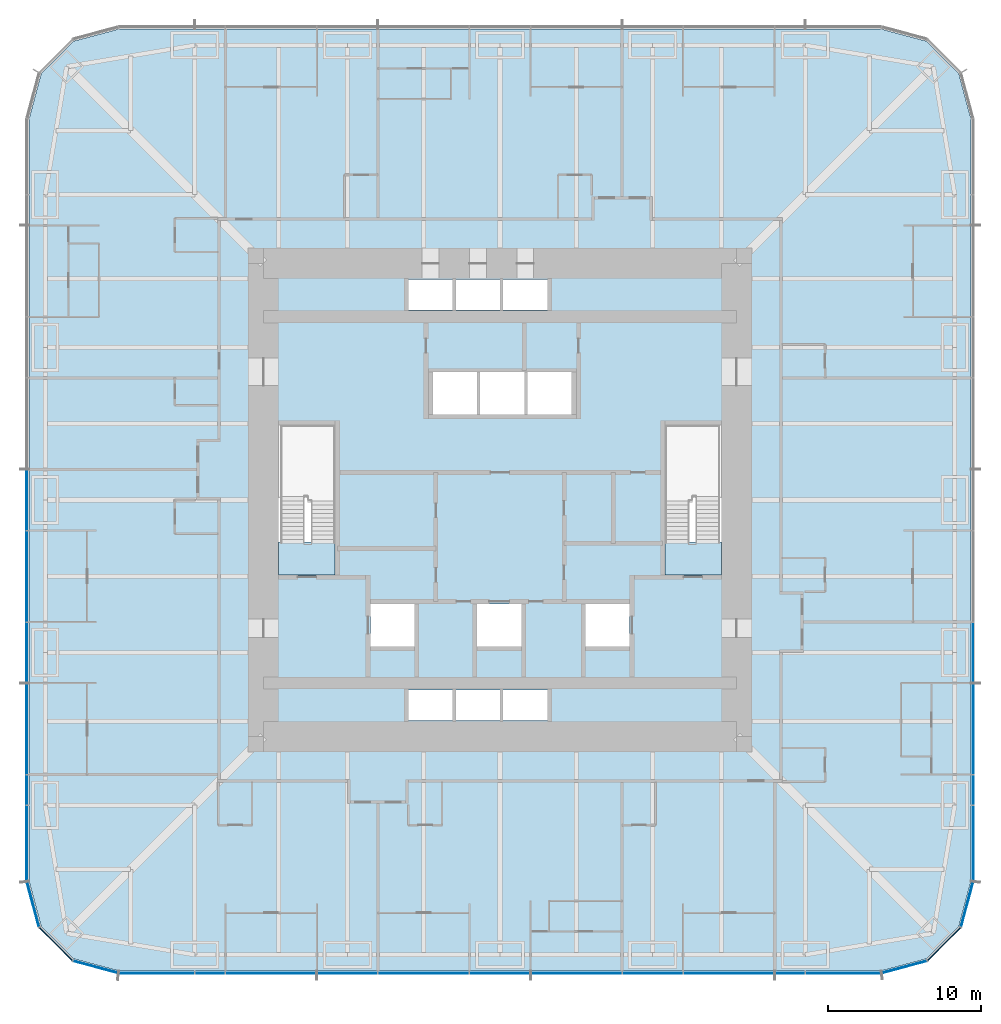
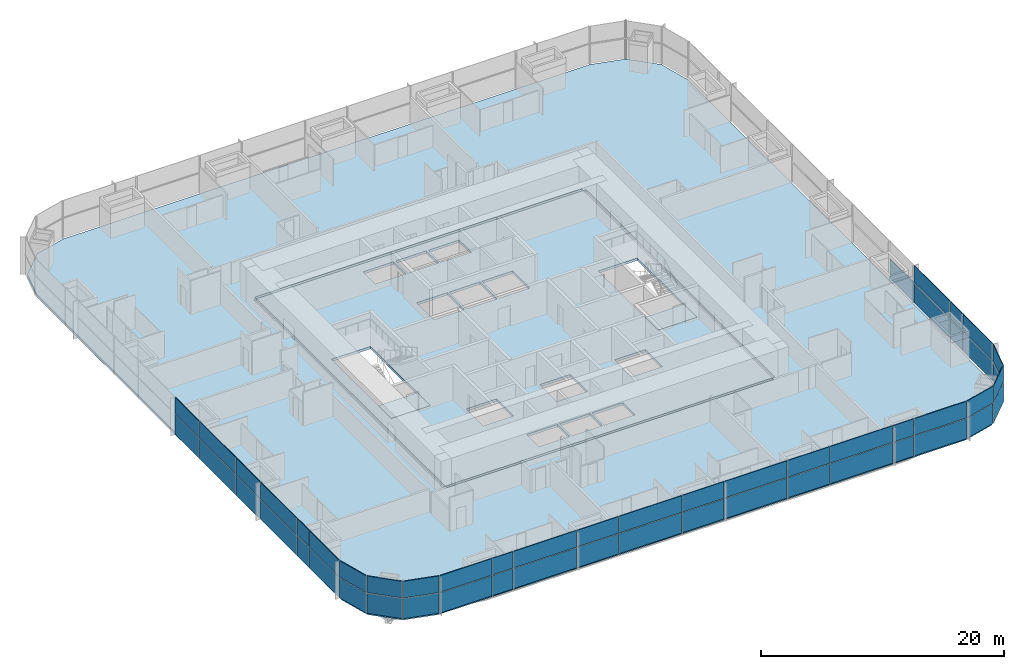
# One storey, part 10 of 17: 53 plates, 4 slabs, 7 elements without a shape of their own.
"""IFC4 building model written with IfcOpenShell, lengths in metres."""

import ifcopenshell
import ifcopenshell.guid

model = None  # the IFC model being written
_history = None  # IfcOwnerHistory: only IFC2X3 demands one
_inside = {}  # id of a spatial element -> (the spatial element, [elements in it])
_under = {}  # id of a project, library or spatial element -> (it, [spatial elements below it])
_declared = {}  # id of a project -> (the project, [libraries it declares])
_typed = {}  # id of a type object -> (the type object, [elements of that type])
_made_of = {}  # id of a material, layer set ... -> (it, [elements and type objects made of it])


def new_model(schema):
    """Start an empty IFC model of exactly this schema.

    Asked for "IFC4X3", IfcOpenShell would pick the latest addendum, in which some entities
    have other attributes; the version numbers below select the first issue.
    IFC2X3 requires an IfcOwnerHistory on every rooted entity: one is made here for all.
    """
    global model, _history
    if schema == "IFC4X3":
        model = ifcopenshell.file(schema_version=(4, 3, 0, 0))
    else:
        model = ifcopenshell.file(schema=schema)
    _inside.clear()
    _under.clear()
    _declared.clear()
    _typed.clear()
    _made_of.clear()
    _history = None
    if model.schema == "IFC2X3":
        org = make("IfcOrganization", Name="unknown")
        user = make(
            "IfcPersonAndOrganization",
            ThePerson=make("IfcPerson", FamilyName="unknown"),
            TheOrganization=org,
        )
        app = make(
            "IfcApplication",
            ApplicationDeveloper=org,
            Version="unknown",
            ApplicationFullName="unknown",
            ApplicationIdentifier="unknown",
        )
        _history = make(
            "IfcOwnerHistory",
            OwningUser=user,
            OwningApplication=app,
            ChangeAction="ADDED",
            CreationDate=0,
        )
    return model


def make(cls, **values):
    """One entity of the class cls with the attributes given. An attribute that is None is left unset."""
    return model.create_entity(
        cls, **{name: value for name, value in values.items() if value is not None}
    )


def rooted(cls, **values):
    """An entity with a GlobalId (a new one), such as an element, a storey or a relation."""
    return make(cls, GlobalId=ifcopenshell.guid.new(), OwnerHistory=_history, **values)


def si_unit(unit_type, name, prefix=None):
    """IfcSIUnit, for example si_unit("LENGTHUNIT", "METRE", prefix="MILLI")."""
    return make("IfcSIUnit", UnitType=unit_type, Prefix=prefix, Name=name)


def assignment(units):
    """IfcUnitAssignment: the units of a project."""
    return None if units is None else make("IfcUnitAssignment", Units=units)


def point(xyz):
    """IfcCartesianPoint."""
    return None if xyz is None else make("IfcCartesianPoint", Coordinates=xyz)


def direction(xyz):
    """IfcDirection."""
    return None if xyz is None else make("IfcDirection", DirectionRatios=xyz)


def frame(location, z_axis=None, x_axis=None):
    """IfcAxis2Placement3D, a coordinate frame: its origin and axes. An axis left out is left unset."""
    return make(
        "IfcAxis2Placement3D",
        Location=point(location),
        Axis=direction(z_axis),
        RefDirection=direction(x_axis),
    )


def frame_2d(location, x_axis=None):
    """IfcAxis2Placement2D, a coordinate frame in the plane: its origin and x axis."""
    return make(
        "IfcAxis2Placement2D", Location=point(location), RefDirection=direction(x_axis)
    )


def origin():
    """The frame at (0, 0, 0) with its axes left unset."""
    return frame((0.0, 0.0, 0.0))


def origin_2d():
    """The frame at (0, 0) in the plane with its x axis left unset."""
    return frame_2d((0.0, 0.0))


def place(relative_to, where):
    """IfcLocalPlacement: puts the frame where relative to a parent placement (None: the world)."""
    return make(
        "IfcLocalPlacement", PlacementRelTo=relative_to, RelativePlacement=where
    )


def context(
    kind, dimensions, precision=None, world=None, true_north=None, identifier=None
):
    """IfcGeometricRepresentationContext, for example the 3D "Model" context."""
    return make(
        "IfcGeometricRepresentationContext",
        ContextIdentifier=identifier,
        ContextType=kind,
        CoordinateSpaceDimension=dimensions,
        Precision=precision,
        WorldCoordinateSystem=world,
        TrueNorth=true_north,
    )


def subcontext(parent, identifier, kind, view, scale=None):
    """IfcGeometricRepresentationSubContext, for example "Body" below "Model"."""
    return make(
        "IfcGeometricRepresentationSubContext",
        ContextIdentifier=identifier,
        ContextType=kind,
        ParentContext=parent,
        TargetScale=scale,
        TargetView=view,
    )


def project(units=None, contexts=None):
    """IfcProject with its units and contexts."""
    return rooted(
        "IfcProject",
        Name="project",
        RepresentationContexts=contexts,
        UnitsInContext=assignment(units),
    )


def spatial(cls, under=None, at=None, **own):
    """A site, building, storey or space (cls), placed at a placement, below another one or the project."""
    s = rooted(cls, ObjectPlacement=at, **own)
    if under is not None:
        _under.setdefault(under.id(), (under, []))[1].append(s)
    return s


def polyline(points):
    """IfcPolyline through the points."""
    return make("IfcPolyline", Points=[point(p) for p in points])


def profile(cls, at=None, kind="AREA", **sizes):
    """A parametric profile (cls). Its sizes go by their IFC names, for example OverallWidth=200.0."""
    return make(cls, ProfileType=kind, Position=at, **sizes)


def rectangle(**sizes):
    """IfcRectangleProfileDef."""
    return profile("IfcRectangleProfileDef", **sizes)


def outline(outer, holes=None, kind="AREA"):
    """IfcArbitraryClosedProfileDef: a profile drawn as a closed curve; with holes, ...WithVoids."""
    if holes is None:
        return make("IfcArbitraryClosedProfileDef", ProfileType=kind, OuterCurve=outer)
    return make(
        "IfcArbitraryProfileDefWithVoids",
        ProfileType=kind,
        OuterCurve=outer,
        InnerCurves=holes,
    )


def extrude(swept, where, along, depth):
    """IfcExtrudedAreaSolid: the profile swept, set in the frame where, extruded along a direction by depth."""
    return make(
        "IfcExtrudedAreaSolid",
        SweptArea=swept,
        Position=where,
        ExtrudedDirection=direction(along),
        Depth=depth,
    )


def shape(context_of_items, identifier, shape_type, items):
    """IfcShapeRepresentation: the items that make up one representation, for example the "Body"."""
    return make(
        "IfcShapeRepresentation",
        ContextOfItems=context_of_items,
        RepresentationIdentifier=identifier,
        RepresentationType=shape_type,
        Items=items,
    )


def material(Name=None, Category=None):
    """IfcMaterial."""
    return make("IfcMaterial", Name=Name, Category=Category)


def layer(
    of_material, thickness, ventilated=None, Name=None, Category=None, Priority=None
):
    """IfcMaterialLayer: one layer of a wall or slab, of a material (None: an air gap)."""
    return make(
        "IfcMaterialLayer",
        Material=of_material,
        LayerThickness=thickness,
        IsVentilated=ventilated,
        Name=Name,
        Category=Category,
        Priority=Priority,
    )


def layer_set(layers, Name=None):
    """IfcMaterialLayerSet."""
    return make("IfcMaterialLayerSet", MaterialLayers=layers, LayerSetName=Name)


def made_of(thing, what):
    """Note that an element or type object is made of a material, layer set ...; save() writes the relation."""
    if what is not None:
        _made_of.setdefault(what.id(), (what, []))[1].append(thing)
    return thing


def type_object(cls, material=None, **own):
    """A type object (cls), such as IfcWallType, which elements share."""
    return made_of(rooted(cls, **own), material)


def element(
    cls,
    number,
    at=None,
    inside=None,
    cuts=None,
    type_object=None,
    material=None,
    context=None,
    identifier="Body",
    shape_type=None,
    held_by="IfcProductDefinitionShape",
    body=None,
    shapes=None,
    **own,
):
    """One element of the class cls, such as IfcWall. Its Tag is "e" and its number.

    at: its placement. inside: the storey or other place that contains it. cuts: it is an
    opening in that element (IfcRelVoidsElement). A single representation is given by context,
    identifier, shape_type and body (its items); several are given by shapes. held_by: the class
    of the entity that holds the representations. save() writes the other relations.
    """
    e = rooted(cls, Tag="e%d" % number, ObjectPlacement=at, **own)
    if body is not None:
        shapes = [shape(context, identifier, shape_type, body)]
    if shapes is not None:
        e.Representation = make(held_by, Representations=shapes)
    if inside is not None:
        _inside.setdefault(inside.id(), (inside, []))[1].append(e)
    if cuts is not None:
        rooted(
            "IfcRelVoidsElement", RelatingBuildingElement=cuts, RelatedOpeningElement=e
        )
    if type_object is not None:
        _typed.setdefault(type_object.id(), (type_object, []))[1].append(e)
    return made_of(e, material)


def aggregate(whole, parts):
    """IfcRelAggregates: a whole, such as a stair, and the parts it consists of."""
    return rooted("IfcRelAggregates", RelatingObject=whole, RelatedObjects=parts)


def save(model, path):
    """Write the relations noted so far, then the file.

    IfcRelAggregates (storeys below a building ...), IfcRelContainedInSpatialStructure (elements
    in a storey), IfcRelDefinesByType, IfcRelAssociatesMaterial and IfcRelDeclares: one each for
    every whole, place, type object, material and project.
    """
    for whole, parts in _under.values():
        aggregate(whole, parts)
    for where, things in _inside.values():
        rooted(
            "IfcRelContainedInSpatialStructure",
            RelatedElements=things,
            RelatingStructure=where,
        )
    for kind, things in _typed.values():
        rooted("IfcRelDefinesByType", RelatedObjects=things, RelatingType=kind)
    for what, things in _made_of.values():
        rooted("IfcRelAssociatesMaterial", RelatedObjects=things, RelatingMaterial=what)
    for by, libraries in _declared.values():
        rooted("IfcRelDeclares", RelatingContext=by, RelatedDefinitions=libraries)
    model.write(path)


model = new_model("IFC4")

# Units and contexts
model_context = context("Model", 3, precision=1e-05, world=origin(), true_north=direction((0.0, 1.0)))
body_context = subcontext(model_context, "Body", "Model", "MODEL_VIEW")
ifc_project = project(units=[si_unit("LENGTHUNIT", "METRE"), si_unit("AREAUNIT", "SQUARE_METRE"), si_unit("VOLUMEUNIT", "CUBIC_METRE"), si_unit("PLANEANGLEUNIT", "RADIAN"), si_unit("MASSUNIT", "GRAM", prefix="KILO")], contexts=[model_context])

# Site, building, storey
site_placement = place(None, origin())
site = spatial("IfcSite", under=ifc_project, at=site_placement, CompositionType="ELEMENT")
building_placement = place(site_placement, origin())
building = spatial("IfcBuilding", under=site, at=building_placement, Name="Khuree Lantern Residences", CompositionType="ELEMENT")
storey_placement = place(building_placement, frame((0.0, 0.0, 96.0)))
storey = spatial("IfcBuildingStorey", under=building, at=storey_placement, Name="L24", CompositionType="ELEMENT", Elevation=96.0)

# Slab
ifc_material_1 = material(Name="Concrete C35/45", Category="concrete")
ifc_layer_1 = layer(ifc_material_1, 0.25)
ifc_layer_set_1 = layer_set([ifc_layer_1], Name="CFL250 CORE FLOOR SLAB 250")
slab_type_1 = type_object("IfcSlabType", Name="CFL250 CORE FLOOR SLAB 250", PredefinedType="FLOOR", material=ifc_layer_set_1)
slab_1_placement = place(storey_placement, frame((0.0, 0.0, -0.25)))
element("IfcSlab", 1, at=slab_1_placement, inside=storey, type_object=slab_type_1, Name="Core floor L24", PredefinedType="FLOOR", context=body_context, shape_type="SweptSolid", body=[
    extrude(outline(polyline([(-15.5, -15.5), (-15.5, 15.5), (15.5, 15.5), (15.5, -15.5), (-15.5, -15.5)]), holes=[polyline([(14.5, 4.89990234375), (10.800048828125, 4.89990234375), (10.800048828125, -4.89990234375), (14.5, -4.89990234375), (14.5, 4.89990234375)]), polyline([(8.5, -6.800048828125), (5.60009765625, -6.800048828125), (5.60009765625, -9.60009765625), (8.5, -9.60009765625), (8.5, -6.800048828125)]), polyline([(4.699951171875, 8.39990234375), (1.800048828125, 8.39990234375), (1.800048828125, 5.60009765625), (4.699951171875, 5.60009765625), (4.699951171875, 8.39990234375)]), polyline([(0.199951171875, -12.449951171875), (0.199951171875, -14.449951171875), (3.10009765625, -14.449951171875), (3.10009765625, -12.449951171875), (0.199951171875, -12.449951171875)]), polyline([(3.10009765625, 14.449951171875), (0.199951171875, 14.449951171875), (0.199951171875, 12.449951171875), (3.10009765625, 12.449951171875), (3.10009765625, 14.449951171875)]), polyline([(1.60009765625, 8.39990234375), (-1.300048828125, 8.39990234375), (-1.300048828125, 5.60009765625), (1.60009765625, 5.60009765625), (1.60009765625, 8.39990234375)]), polyline([(1.39990234375, -6.800048828125), (-1.5, -6.800048828125), (-1.5, -9.60009765625), (1.39990234375, -9.60009765625), (1.39990234375, -6.800048828125)]), polyline([(0.0, -12.449951171875), (-2.89990234375, -12.449951171875), (-2.89990234375, -14.449951171875), (0.0, -14.449951171875), (0.0, -12.449951171875)]), polyline([(0.0, 14.449951171875), (-2.89990234375, 14.449951171875), (-2.89990234375, 12.449951171875), (0.0, 12.449951171875), (0.0, 14.449951171875)]), polyline([(-1.5, 8.39990234375), (-4.39990234375, 8.39990234375), (-4.39990234375, 5.60009765625), (-1.5, 5.60009765625), (-1.5, 8.39990234375)]), polyline([(-6.0, -12.449951171875), (-6.0, -14.449951171875), (-3.10009765625, -14.449951171875), (-3.10009765625, -12.449951171875), (-6.0, -12.449951171875)]), polyline([(-3.10009765625, 14.449951171875), (-6.0, 14.449951171875), (-6.0, 12.449951171875), (-3.10009765625, 12.449951171875), (-3.10009765625, 14.449951171875)]), polyline([(-5.60009765625, -6.800048828125), (-8.5, -6.800048828125), (-8.5, -9.60009765625), (-5.60009765625, -9.60009765625), (-5.60009765625, -6.800048828125)]), polyline([(-10.800048828125, 4.89990234375), (-14.5, 4.89990234375), (-14.5, -4.89990234375), (-10.800048828125, -4.89990234375), (-10.800048828125, 4.89990234375)])]), origin(), (0.0, 0.0, 1.0), 0.25),
])

# Curtain wall, plates
ifc_material_2 = material(Name="Bronze anodised aluminium", Category="aluminium")
curtain_wall_type_1 = type_object("IfcCurtainWallType", Name="CW-T2 TOWER CORNER CURTAIN WALL", PredefinedType="USERDEFINED", material=ifc_material_2)
curtain_wall_1_placement = place(storey_placement, origin())
curtain_wall_1 = element("IfcCurtainWall", 2, at=curtain_wall_1_placement, inside=storey, type_object=curtain_wall_type_1, Name="L24 SOUTH-EAST CORNER CURTAIN WALL", ObjectType="Faceted corner curtain wall", PredefinedType="USERDEFINED")
ifc_material_3 = material(Name="Bronze tinted triple glazing", Category="glass")
ifc_layer_2 = layer(ifc_material_3, 0.048095703125)
ifc_layer_set_2 = layer_set([ifc_layer_2], Name="FACET PANEL P4")
plate_type_1 = type_object("IfcPlateType", Name="FACET PANEL P4", PredefinedType="CURTAIN_PANEL", material=ifc_layer_set_2)
plate_1_placement = place(storey_placement, frame((26.498046875, -30.5986328125, 0.0), z_axis=(0.0, 0.0, 1.0), x_axis=(0.965925792265, 0.258819172081, 0.0)))
plate_1 = element("IfcPlate", 3, at=plate_1_placement, type_object=plate_type_1, Name="L24 SOUTH-EAST CORNER PANEL 1.1", PredefinedType="CURTAIN_PANEL", context=body_context, shape_type="SweptSolid", body=[
    extrude(rectangle(XDim=3.02978515625, YDim=0.048095703125, at=origin_2d()), origin(), (0.0, 0.0, 1.0), 2.017578125),
])
plate_2_placement = place(storey_placement, frame((29.09814453125, -29.09814453125, 0.0), z_axis=(0.0, 0.0, 1.0), x_axis=(0.707106781187, 0.707106781187, 0.0)))
plate_2 = element("IfcPlate", 4, at=plate_2_placement, type_object=plate_type_1, Name="L24 SOUTH-EAST CORNER PANEL 2.1", PredefinedType="CURTAIN_PANEL", context=body_context, shape_type="SweptSolid", body=[
    extrude(rectangle(XDim=3.025634765625, YDim=0.048095703125, at=origin_2d()), origin(), (0.0, 0.0, 1.0), 2.017578125),
])
plate_3_placement = place(storey_placement, frame((30.5986328125, -26.498046875, 0.0), z_axis=(0.0, 0.0, 1.0), x_axis=(0.258819172081, 0.965925792265, 0.0)))
plate_3 = element("IfcPlate", 5, at=plate_3_placement, type_object=plate_type_1, Name="L24 SOUTH-EAST CORNER PANEL 3.1", PredefinedType="CURTAIN_PANEL", context=body_context, shape_type="SweptSolid", body=[
    extrude(rectangle(XDim=3.02978515625, YDim=0.048095703125, at=origin_2d()), origin(), (0.0, 0.0, 1.0), 2.017578125),
])

curtain_wall_2_placement = place(storey_placement, origin())
curtain_wall_2 = element("IfcCurtainWall", 6, at=curtain_wall_2_placement, inside=storey, type_object=curtain_wall_type_1, Name="L24 SOUTH-WEST CORNER CURTAIN WALL", ObjectType="Faceted corner curtain wall", PredefinedType="USERDEFINED")
plate_4_placement = place(storey_placement, frame((-30.5986328125, -26.498046875, 0.0), z_axis=(0.0, 0.0, 1.0), x_axis=(0.258819172081, -0.965925792265, 0.0)))
plate_4 = element("IfcPlate", 7, at=plate_4_placement, type_object=plate_type_1, Name="L24 SOUTH-WEST CORNER PANEL 43.1", PredefinedType="CURTAIN_PANEL", context=body_context, shape_type="SweptSolid", body=[
    extrude(rectangle(XDim=3.02978515625, YDim=0.048095703125, at=origin_2d()), origin(), (0.0, 0.0, 1.0), 2.017578125),
])
plate_5_placement = place(storey_placement, frame((-29.09814453125, -29.09814453125, 0.0), z_axis=(0.0, 0.0, 1.0), x_axis=(0.707106781187, -0.707106781187, 0.0)))
plate_5 = element("IfcPlate", 8, at=plate_5_placement, type_object=plate_type_1, Name="L24 SOUTH-WEST CORNER PANEL 44.1", PredefinedType="CURTAIN_PANEL", context=body_context, shape_type="SweptSolid", body=[
    extrude(rectangle(XDim=3.025634765625, YDim=0.048095703125, at=origin_2d()), origin(), (0.0, 0.0, 1.0), 2.017578125),
])
plate_6_placement = place(storey_placement, frame((-26.498046875, -30.5986328125, 0.0), z_axis=(0.0, 0.0, 1.0), x_axis=(0.965925792265, -0.258819172081, 0.0)))
plate_6 = element("IfcPlate", 9, at=plate_6_placement, type_object=plate_type_1, Name="L24 SOUTH-WEST CORNER PANEL 45.1", PredefinedType="CURTAIN_PANEL", context=body_context, shape_type="SweptSolid", body=[
    extrude(rectangle(XDim=3.02978515625, YDim=0.048095703125, at=origin_2d()), origin(), (0.0, 0.0, 1.0), 2.017578125),
])

# Curtain wall, plate
curtain_wall_type_2 = type_object("IfcCurtainWallType", Name="CW-T1 TOWER FACE CURTAIN WALL", PredefinedType="USERDEFINED", material=ifc_material_2)
curtain_wall_3_placement = place(storey_placement, origin())
curtain_wall_3 = element("IfcCurtainWall", 10, at=curtain_wall_3_placement, inside=storey, type_object=curtain_wall_type_2, Name="L24 EAST FACE CURTAIN WALL", ObjectType="Stick-built curtain wall", PredefinedType="USERDEFINED")
ifc_material_4 = material(Name="Bronze tinted triple glazing with a ceramic-fritted spandrel band", Category="glass")
ifc_layer_3 = layer(ifc_material_4, 0.048095703125)
ifc_layer_set_3 = layer_set([ifc_layer_3], Name="FIXED LIGHT PANEL P11")
plate_type_2 = type_object("IfcPlateType", Name="FIXED LIGHT PANEL P11", PredefinedType="CURTAIN_PANEL", material=ifc_layer_set_3)
plate_7_placement = place(storey_placement, frame((31.0, -15.0, 0.0), z_axis=(0.0, 0.0, 1.0), x_axis=(0.0, 1.0, 0.0)))
plate_7 = element("IfcPlate", 11, at=plate_7_placement, type_object=plate_type_2, Name="L24 EAST FACE PANEL 6.1", PredefinedType="CURTAIN_PANEL", context=body_context, shape_type="SweptSolid", body=[
    extrude(rectangle(XDim=5.93505859375, YDim=0.048095703125, at=origin_2d()), origin(), (0.0, 0.0, 1.0), 2.017578125),
])

# Curtain wall, plates
curtain_wall_4_placement = place(storey_placement, origin())
curtain_wall_4 = element("IfcCurtainWall", 12, at=curtain_wall_4_placement, inside=storey, type_object=curtain_wall_type_2, Name="L24 WEST FACE CURTAIN WALL", ObjectType="Stick-built curtain wall", PredefinedType="USERDEFINED")
plate_8_placement = place(storey_placement, frame((-31.0, -5.0, 0.0), z_axis=(0.0, 0.0, 1.0), x_axis=(0.0, -1.0, 0.0)))
plate_8 = element("IfcPlate", 13, at=plate_8_placement, type_object=plate_type_2, Name="L24 WEST FACE PANEL 38.1", PredefinedType="CURTAIN_PANEL", context=body_context, shape_type="SweptSolid", body=[
    extrude(rectangle(XDim=5.93505859375, YDim=0.048095703125, at=origin_2d()), origin(), (0.0, 0.0, 1.0), 2.017578125),
])
plate_9_placement = place(storey_placement, frame((-31.0, -15.0, 0.0), z_axis=(0.0, 0.0, 1.0), x_axis=(0.0, -1.0, 0.0)))
plate_9 = element("IfcPlate", 14, at=plate_9_placement, type_object=plate_type_2, Name="L24 WEST FACE PANEL 40.1", PredefinedType="CURTAIN_PANEL", context=body_context, shape_type="SweptSolid", body=[
    extrude(rectangle(XDim=5.93505859375, YDim=0.048095703125, at=origin_2d()), origin(), (0.0, 0.0, 1.0), 2.017578125),
])

curtain_wall_5_placement = place(storey_placement, origin())
curtain_wall_5 = element("IfcCurtainWall", 15, at=curtain_wall_5_placement, inside=storey, type_object=curtain_wall_type_2, Name="L24 SOUTH FACE CURTAIN WALL", ObjectType="Stick-built curtain wall", PredefinedType="USERDEFINED")
plate_10_placement = place(storey_placement, frame((-15.0, -31.0, 0.0), z_axis=(0.0, 0.0, 1.0), x_axis=(1.0, 0.0, 0.0)))
plate_10 = element("IfcPlate", 16, at=plate_10_placement, type_object=plate_type_2, Name="L24 SOUTH FACE PANEL 48.1", PredefinedType="CURTAIN_PANEL", context=body_context, shape_type="SweptSolid", body=[
    extrude(rectangle(XDim=5.93505859375, YDim=0.048095703125, at=origin_2d()), origin(), (0.0, 0.0, 1.0), 2.017578125),
])
plate_11_placement = place(storey_placement, frame((-5.0, -31.0, 0.0), z_axis=(0.0, 0.0, 1.0), x_axis=(1.0, 0.0, 0.0)))
plate_11 = element("IfcPlate", 17, at=plate_11_placement, type_object=plate_type_2, Name="L24 SOUTH FACE PANEL 50.1", PredefinedType="CURTAIN_PANEL", context=body_context, shape_type="SweptSolid", body=[
    extrude(rectangle(XDim=5.93505859375, YDim=0.048095703125, at=origin_2d()), origin(), (0.0, 0.0, 1.0), 2.017578125),
])
plate_12_placement = place(storey_placement, frame((5.0, -31.0, 0.0), z_axis=(0.0, 0.0, 1.0), x_axis=(1.0, 0.0, 0.0)))
plate_12 = element("IfcPlate", 18, at=plate_12_placement, type_object=plate_type_2, Name="L24 SOUTH FACE PANEL 52.1", PredefinedType="CURTAIN_PANEL", context=body_context, shape_type="SweptSolid", body=[
    extrude(rectangle(XDim=5.93505859375, YDim=0.048095703125, at=origin_2d()), origin(), (0.0, 0.0, 1.0), 2.017578125),
])
plate_13_placement = place(storey_placement, frame((15.0, -31.0, 0.0), z_axis=(0.0, 0.0, 1.0), x_axis=(1.0, 0.0, 0.0)))
plate_13 = element("IfcPlate", 19, at=plate_13_placement, type_object=plate_type_2, Name="L24 SOUTH FACE PANEL 54.1", PredefinedType="CURTAIN_PANEL", context=body_context, shape_type="SweptSolid", body=[
    extrude(rectangle(XDim=5.93505859375, YDim=0.048095703125, at=origin_2d()), origin(), (0.0, 0.0, 1.0), 2.017578125),
])

# Slab
ifc_layer_4 = layer(ifc_material_1, 0.25)
ifc_layer_set_4 = layer_set([ifc_layer_4], Name="FS250 FLOOR SLAB 250")
slab_type_2 = type_object("IfcSlabType", Name="FS250 FLOOR SLAB 250", PredefinedType="FLOOR", material=ifc_layer_set_4)
slab_2_placement = place(storey_placement, frame((0.0, 0.0, -0.25)))
element("IfcSlab", 20, at=slab_2_placement, inside=storey, type_object=slab_type_2, Name="Floor slab L24", PredefinedType="FLOOR", context=body_context, shape_type="SweptSolid", body=[
    extrude(outline(polyline([(-27.925048828125, -30.066162109375), (-30.066162109375, -27.925048828125), (-30.85009765625, -25.0), (-30.85009765625, 25.0), (-30.066162109375, 27.925048828125), (-27.925048828125, 30.066162109375), (-25.0, 30.85009765625), (25.0, 30.85009765625), (27.925048828125, 30.066162109375), (30.066162109375, 27.925048828125), (30.85009765625, 25.0), (30.85009765625, -25.0), (30.066162109375, -27.925048828125), (27.925048828125, -30.066162109375), (25.0, -30.85009765625), (-25.0, -30.85009765625), (-27.925048828125, -30.066162109375)]), holes=[polyline([(15.75, 15.5), (15.5, 15.5), (15.5, 15.75), (-15.5, 15.75), (-15.5, 15.5), (-15.75, 15.5), (-15.75, -15.5), (-15.5, -15.5), (-15.5, -15.75), (15.5, -15.75), (15.5, -15.5), (15.75, -15.5), (15.75, 15.5)])]), origin(), (0.0, 0.0, 1.0), 0.25),
])

# Plate
ifc_material_5 = material(Name="Bronze tinted triple glazing, two aluminium-framed sashes in one frame", Category="aluminium")
ifc_layer_5 = layer(ifc_material_5, 0.048095703125)
ifc_layer_set_5 = layer_set([ifc_layer_5], Name="SASH PAIR PANEL P12")
plate_type_3 = type_object("IfcPlateType", Name="SASH PAIR PANEL P12", PredefinedType="CURTAIN_PANEL", material=ifc_layer_set_5)
plate_14_placement = place(storey_placement, frame((31.0, -10.0, 0.0), z_axis=(0.0, 0.0, 1.0), x_axis=(0.0, 1.0, 0.0)))
plate_14 = element("IfcPlate", 21, at=plate_14_placement, type_object=plate_type_3, Name="L24 EAST FACE PANEL 7.1", PredefinedType="CURTAIN_PANEL", context=body_context, shape_type="SweptSolid", body=[
    extrude(rectangle(XDim=3.93505859375, YDim=0.048095703125, at=origin_2d()), origin(), (0.0, 0.0, 1.0), 2.017578125),
])

plate_15_placement = place(storey_placement, frame((-31.0, 0.0, 0.0), z_axis=(0.0, 0.0, 1.0), x_axis=(0.0, -1.0, 0.0)))
plate_15 = element("IfcPlate", 22, at=plate_15_placement, type_object=plate_type_3, Name="L24 WEST FACE PANEL 37.1", PredefinedType="CURTAIN_PANEL", context=body_context, shape_type="SweptSolid", body=[
    extrude(rectangle(XDim=3.93505859375, YDim=0.048095703125, at=origin_2d()), origin(), (0.0, 0.0, 1.0), 2.017578125),
])

plate_16_placement = place(storey_placement, frame((-31.0, -10.0, 0.0), z_axis=(0.0, 0.0, 1.0), x_axis=(0.0, -1.0, 0.0)))
plate_16 = element("IfcPlate", 23, at=plate_16_placement, type_object=plate_type_3, Name="L24 WEST FACE PANEL 39.1", PredefinedType="CURTAIN_PANEL", context=body_context, shape_type="SweptSolid", body=[
    extrude(rectangle(XDim=3.93505859375, YDim=0.048095703125, at=origin_2d()), origin(), (0.0, 0.0, 1.0), 2.017578125),
])

plate_17_placement = place(storey_placement, frame((-10.0, -31.0, 0.0), z_axis=(0.0, 0.0, 1.0), x_axis=(1.0, 0.0, 0.0)))
plate_17 = element("IfcPlate", 24, at=plate_17_placement, type_object=plate_type_3, Name="L24 SOUTH FACE PANEL 49.1", PredefinedType="CURTAIN_PANEL", context=body_context, shape_type="SweptSolid", body=[
    extrude(rectangle(XDim=3.93505859375, YDim=0.048095703125, at=origin_2d()), origin(), (0.0, 0.0, 1.0), 2.017578125),
])

plate_18_placement = place(storey_placement, frame((0.0, -31.0, 0.0), z_axis=(0.0, 0.0, 1.0), x_axis=(1.0, 0.0, 0.0)))
plate_18 = element("IfcPlate", 25, at=plate_18_placement, type_object=plate_type_3, Name="L24 SOUTH FACE PANEL 51.1", PredefinedType="CURTAIN_PANEL", context=body_context, shape_type="SweptSolid", body=[
    extrude(rectangle(XDim=3.93505859375, YDim=0.048095703125, at=origin_2d()), origin(), (0.0, 0.0, 1.0), 2.017578125),
])

plate_19_placement = place(storey_placement, frame((10.0, -31.0, 0.0), z_axis=(0.0, 0.0, 1.0), x_axis=(1.0, 0.0, 0.0)))
plate_19 = element("IfcPlate", 26, at=plate_19_placement, type_object=plate_type_3, Name="L24 SOUTH FACE PANEL 53.1", PredefinedType="CURTAIN_PANEL", context=body_context, shape_type="SweptSolid", body=[
    extrude(rectangle(XDim=3.93505859375, YDim=0.048095703125, at=origin_2d()), origin(), (0.0, 0.0, 1.0), 2.017578125),
])

ifc_material_6 = material(Name="Bronze tinted triple glazing, aluminium-framed sash", Category="aluminium")
ifc_layer_6 = layer(ifc_material_6, 0.048095703125)
ifc_layer_set_6 = layer_set([ifc_layer_6], Name="SASH PANEL P3")
plate_type_4 = type_object("IfcPlateType", Name="SASH PANEL P3", PredefinedType="CURTAIN_PANEL", material=ifc_layer_set_6)
plate_20_placement = place(storey_placement, frame((31.0, -19.0, 0.0), z_axis=(0.0, 0.0, 1.0), x_axis=(0.0, 1.0, 0.0)))
plate_20 = element("IfcPlate", 27, at=plate_20_placement, type_object=plate_type_4, Name="L24 EAST FACE PANEL 5.1", PredefinedType="CURTAIN_PANEL", context=body_context, shape_type="SweptSolid", body=[
    extrude(rectangle(XDim=1.93505859375, YDim=0.048095703125, at=origin_2d()), origin(), (0.0, 0.0, 1.0), 2.017578125),
])

plate_21_placement = place(storey_placement, frame((-31.0, -19.0, 0.0), z_axis=(0.0, 0.0, 1.0), x_axis=(0.0, -1.0, 0.0)))
plate_21 = element("IfcPlate", 28, at=plate_21_placement, type_object=plate_type_4, Name="L24 WEST FACE PANEL 41.1", PredefinedType="CURTAIN_PANEL", context=body_context, shape_type="SweptSolid", body=[
    extrude(rectangle(XDim=1.93505859375, YDim=0.048095703125, at=origin_2d()), origin(), (0.0, 0.0, 1.0), 2.017578125),
])

plate_22_placement = place(storey_placement, frame((-19.0, -31.0, 0.0), z_axis=(0.0, 0.0, 1.0), x_axis=(1.0, 0.0, 0.0)))
plate_22 = element("IfcPlate", 29, at=plate_22_placement, type_object=plate_type_4, Name="L24 SOUTH FACE PANEL 47.1", PredefinedType="CURTAIN_PANEL", context=body_context, shape_type="SweptSolid", body=[
    extrude(rectangle(XDim=1.93505859375, YDim=0.048095703125, at=origin_2d()), origin(), (0.0, 0.0, 1.0), 2.017578125),
])

plate_23_placement = place(storey_placement, frame((19.0, -31.0, 0.0), z_axis=(0.0, 0.0, 1.0), x_axis=(1.0, 0.0, 0.0)))
plate_23 = element("IfcPlate", 30, at=plate_23_placement, type_object=plate_type_4, Name="L24 SOUTH FACE PANEL 55.1", PredefinedType="CURTAIN_PANEL", context=body_context, shape_type="SweptSolid", body=[
    extrude(rectangle(XDim=1.93505859375, YDim=0.048095703125, at=origin_2d()), origin(), (0.0, 0.0, 1.0), 2.017578125),
])

ifc_material_7 = material(Name="Bronze anodised aluminium insulated spandrel", Category="aluminium")
ifc_layer_7 = layer(ifc_material_7, 0.06005859375)
ifc_layer_set_7 = layer_set([ifc_layer_7], Name="SPANDREL PANEL P2")
plate_type_5 = type_object("IfcPlateType", Name="SPANDREL PANEL P2", PredefinedType="CURTAIN_PANEL", material=ifc_layer_set_7)
plate_24_placement = place(storey_placement, frame((26.49755859375, -30.5986328125, 2.08251953125), z_axis=(0.0, 0.0, 1.0), x_axis=(0.965925792265, 0.258819172081, 0.0)))
plate_24 = element("IfcPlate", 31, at=plate_24_placement, type_object=plate_type_5, Name="L24 SOUTH-EAST CORNER PANEL 1.2", PredefinedType="CURTAIN_PANEL", context=body_context, shape_type="SweptSolid", body=[
    extrude(rectangle(XDim=3.02734375, YDim=0.06005859375, at=origin_2d()), origin(), (0.0, 0.0, 1.0), 1.66748046875),
])

plate_25_placement = place(storey_placement, frame((29.09814453125, -29.09814453125, 2.08251953125), z_axis=(0.0, 0.0, 1.0), x_axis=(0.707106781187, 0.707106781187, 0.0)))
plate_25 = element("IfcPlate", 32, at=plate_25_placement, type_object=plate_type_5, Name="L24 SOUTH-EAST CORNER PANEL 2.2", PredefinedType="CURTAIN_PANEL", context=body_context, shape_type="SweptSolid", body=[
    extrude(rectangle(XDim=3.0224609375, YDim=0.06005859375, at=origin_2d()), origin(), (0.0, 0.0, 1.0), 1.66748046875),
])

plate_26_placement = place(storey_placement, frame((30.5986328125, -26.49755859375, 2.08251953125), z_axis=(0.0, 0.0, 1.0), x_axis=(0.258819172081, 0.965925792265, 0.0)))
plate_26 = element("IfcPlate", 33, at=plate_26_placement, type_object=plate_type_5, Name="L24 SOUTH-EAST CORNER PANEL 3.2", PredefinedType="CURTAIN_PANEL", context=body_context, shape_type="SweptSolid", body=[
    extrude(rectangle(XDim=3.02734375, YDim=0.06005859375, at=origin_2d()), origin(), (0.0, 0.0, 1.0), 1.66748046875),
])

aggregate(curtain_wall_1, [plate_1, plate_24, plate_2, plate_25, plate_3, plate_26])

plate_27_placement = place(storey_placement, frame((31.0, -22.497802734375, 2.08251953125), z_axis=(0.0, 0.0, 1.0), x_axis=(0.0, 1.0, 0.0)))
plate_27 = element("IfcPlate", 34, at=plate_27_placement, type_object=plate_type_5, Name="L24 EAST FACE PANEL 4.2", PredefinedType="CURTAIN_PANEL", context=body_context, shape_type="SweptSolid", body=[
    extrude(rectangle(XDim=4.9306640625, YDim=0.06005859375, at=origin_2d()), origin(), (0.0, 0.0, 1.0), 1.66748046875),
])

plate_28_placement = place(storey_placement, frame((31.0, -19.0, 2.08251953125), z_axis=(0.0, 0.0, 1.0), x_axis=(0.0, 1.0, 0.0)))
plate_28 = element("IfcPlate", 35, at=plate_28_placement, type_object=plate_type_5, Name="L24 EAST FACE PANEL 5.2", PredefinedType="CURTAIN_PANEL", context=body_context, shape_type="SweptSolid", body=[
    extrude(rectangle(XDim=1.93505859375, YDim=0.06005859375, at=origin_2d()), origin(), (0.0, 0.0, 1.0), 1.66748046875),
])

plate_29_placement = place(storey_placement, frame((31.0, -15.0, 2.08251953125), z_axis=(0.0, 0.0, 1.0), x_axis=(0.0, 1.0, 0.0)))
plate_29 = element("IfcPlate", 36, at=plate_29_placement, type_object=plate_type_5, Name="L24 EAST FACE PANEL 6.2", PredefinedType="CURTAIN_PANEL", context=body_context, shape_type="SweptSolid", body=[
    extrude(rectangle(XDim=5.93505859375, YDim=0.06005859375, at=origin_2d()), origin(), (0.0, 0.0, 1.0), 1.66748046875),
])

plate_30_placement = place(storey_placement, frame((-31.0, 0.0, 2.08251953125), z_axis=(0.0, 0.0, 1.0), x_axis=(0.0, -1.0, 0.0)))
plate_30 = element("IfcPlate", 37, at=plate_30_placement, type_object=plate_type_5, Name="L24 WEST FACE PANEL 37.2", PredefinedType="CURTAIN_PANEL", context=body_context, shape_type="SweptSolid", body=[
    extrude(rectangle(XDim=3.93505859375, YDim=0.06005859375, at=origin_2d()), origin(), (0.0, 0.0, 1.0), 1.66748046875),
])

plate_31_placement = place(storey_placement, frame((-31.0, -5.0, 2.08251953125), z_axis=(0.0, 0.0, 1.0), x_axis=(0.0, -1.0, 0.0)))
plate_31 = element("IfcPlate", 38, at=plate_31_placement, type_object=plate_type_5, Name="L24 WEST FACE PANEL 38.2", PredefinedType="CURTAIN_PANEL", context=body_context, shape_type="SweptSolid", body=[
    extrude(rectangle(XDim=5.93505859375, YDim=0.06005859375, at=origin_2d()), origin(), (0.0, 0.0, 1.0), 1.66748046875),
])

plate_32_placement = place(storey_placement, frame((-31.0, -10.0, 2.08251953125), z_axis=(0.0, 0.0, 1.0), x_axis=(0.0, -1.0, 0.0)))
plate_32 = element("IfcPlate", 39, at=plate_32_placement, type_object=plate_type_5, Name="L24 WEST FACE PANEL 39.2", PredefinedType="CURTAIN_PANEL", context=body_context, shape_type="SweptSolid", body=[
    extrude(rectangle(XDim=3.93505859375, YDim=0.06005859375, at=origin_2d()), origin(), (0.0, 0.0, 1.0), 1.66748046875),
])

plate_33_placement = place(storey_placement, frame((-31.0, -15.0, 2.08251953125), z_axis=(0.0, 0.0, 1.0), x_axis=(0.0, -1.0, 0.0)))
plate_33 = element("IfcPlate", 40, at=plate_33_placement, type_object=plate_type_5, Name="L24 WEST FACE PANEL 40.2", PredefinedType="CURTAIN_PANEL", context=body_context, shape_type="SweptSolid", body=[
    extrude(rectangle(XDim=5.93505859375, YDim=0.06005859375, at=origin_2d()), origin(), (0.0, 0.0, 1.0), 1.66748046875),
])

plate_34_placement = place(storey_placement, frame((-31.0, -19.0, 2.08251953125), z_axis=(0.0, 0.0, 1.0), x_axis=(0.0, -1.0, 0.0)))
plate_34 = element("IfcPlate", 41, at=plate_34_placement, type_object=plate_type_5, Name="L24 WEST FACE PANEL 41.2", PredefinedType="CURTAIN_PANEL", context=body_context, shape_type="SweptSolid", body=[
    extrude(rectangle(XDim=1.93505859375, YDim=0.06005859375, at=origin_2d()), origin(), (0.0, 0.0, 1.0), 1.66748046875),
])

plate_35_placement = place(storey_placement, frame((-31.0, -22.497802734375, 2.08251953125), z_axis=(0.0, 0.0, 1.0), x_axis=(0.0, -1.0, 0.0)))
plate_35 = element("IfcPlate", 42, at=plate_35_placement, type_object=plate_type_5, Name="L24 WEST FACE PANEL 42.2", PredefinedType="CURTAIN_PANEL", context=body_context, shape_type="SweptSolid", body=[
    extrude(rectangle(XDim=4.9306640625, YDim=0.06005859375, at=origin_2d()), origin(), (0.0, 0.0, 1.0), 1.66748046875),
])

plate_36_placement = place(storey_placement, frame((-30.5986328125, -26.49755859375, 2.08251953125), z_axis=(0.0, 0.0, 1.0), x_axis=(0.258819172081, -0.965925792265, 0.0)))
plate_36 = element("IfcPlate", 43, at=plate_36_placement, type_object=plate_type_5, Name="L24 SOUTH-WEST CORNER PANEL 43.2", PredefinedType="CURTAIN_PANEL", context=body_context, shape_type="SweptSolid", body=[
    extrude(rectangle(XDim=3.02734375, YDim=0.06005859375, at=origin_2d()), origin(), (0.0, 0.0, 1.0), 1.66748046875),
])

plate_37_placement = place(storey_placement, frame((-29.09814453125, -29.09814453125, 2.08251953125), z_axis=(0.0, 0.0, 1.0), x_axis=(0.707106781187, -0.707106781187, 0.0)))
plate_37 = element("IfcPlate", 44, at=plate_37_placement, type_object=plate_type_5, Name="L24 SOUTH-WEST CORNER PANEL 44.2", PredefinedType="CURTAIN_PANEL", context=body_context, shape_type="SweptSolid", body=[
    extrude(rectangle(XDim=3.0224609375, YDim=0.06005859375, at=origin_2d()), origin(), (0.0, 0.0, 1.0), 1.66748046875),
])

plate_38_placement = place(storey_placement, frame((-26.49755859375, -30.5986328125, 2.08251953125), z_axis=(0.0, 0.0, 1.0), x_axis=(0.965925792265, -0.258819172081, 0.0)))
plate_38 = element("IfcPlate", 45, at=plate_38_placement, type_object=plate_type_5, Name="L24 SOUTH-WEST CORNER PANEL 45.2", PredefinedType="CURTAIN_PANEL", context=body_context, shape_type="SweptSolid", body=[
    extrude(rectangle(XDim=3.02734375, YDim=0.06005859375, at=origin_2d()), origin(), (0.0, 0.0, 1.0), 1.66748046875),
])

aggregate(curtain_wall_2, [plate_4, plate_36, plate_5, plate_37, plate_6, plate_38])

plate_39_placement = place(storey_placement, frame((-22.497802734375, -31.0, 2.08251953125), z_axis=(0.0, 0.0, 1.0), x_axis=(1.0, 0.0, 0.0)))
plate_39 = element("IfcPlate", 46, at=plate_39_placement, type_object=plate_type_5, Name="L24 SOUTH FACE PANEL 46.2", PredefinedType="CURTAIN_PANEL", context=body_context, shape_type="SweptSolid", body=[
    extrude(rectangle(XDim=4.9306640625, YDim=0.06005859375, at=origin_2d()), origin(), (0.0, 0.0, 1.0), 1.66748046875),
])

plate_40_placement = place(storey_placement, frame((-19.0, -31.0, 2.08251953125), z_axis=(0.0, 0.0, 1.0), x_axis=(1.0, 0.0, 0.0)))
plate_40 = element("IfcPlate", 47, at=plate_40_placement, type_object=plate_type_5, Name="L24 SOUTH FACE PANEL 47.2", PredefinedType="CURTAIN_PANEL", context=body_context, shape_type="SweptSolid", body=[
    extrude(rectangle(XDim=1.93505859375, YDim=0.06005859375, at=origin_2d()), origin(), (0.0, 0.0, 1.0), 1.66748046875),
])

plate_41_placement = place(storey_placement, frame((-15.0, -31.0, 2.08251953125), z_axis=(0.0, 0.0, 1.0), x_axis=(1.0, 0.0, 0.0)))
plate_41 = element("IfcPlate", 48, at=plate_41_placement, type_object=plate_type_5, Name="L24 SOUTH FACE PANEL 48.2", PredefinedType="CURTAIN_PANEL", context=body_context, shape_type="SweptSolid", body=[
    extrude(rectangle(XDim=5.93505859375, YDim=0.06005859375, at=origin_2d()), origin(), (0.0, 0.0, 1.0), 1.66748046875),
])

plate_42_placement = place(storey_placement, frame((-10.0, -31.0, 2.08251953125), z_axis=(0.0, 0.0, 1.0), x_axis=(1.0, 0.0, 0.0)))
plate_42 = element("IfcPlate", 49, at=plate_42_placement, type_object=plate_type_5, Name="L24 SOUTH FACE PANEL 49.2", PredefinedType="CURTAIN_PANEL", context=body_context, shape_type="SweptSolid", body=[
    extrude(rectangle(XDim=3.93505859375, YDim=0.06005859375, at=origin_2d()), origin(), (0.0, 0.0, 1.0), 1.66748046875),
])

plate_43_placement = place(storey_placement, frame((-5.0, -31.0, 2.08251953125), z_axis=(0.0, 0.0, 1.0), x_axis=(1.0, 0.0, 0.0)))
plate_43 = element("IfcPlate", 50, at=plate_43_placement, type_object=plate_type_5, Name="L24 SOUTH FACE PANEL 50.2", PredefinedType="CURTAIN_PANEL", context=body_context, shape_type="SweptSolid", body=[
    extrude(rectangle(XDim=5.93505859375, YDim=0.06005859375, at=origin_2d()), origin(), (0.0, 0.0, 1.0), 1.66748046875),
])

plate_44_placement = place(storey_placement, frame((0.0, -31.0, 2.08251953125), z_axis=(0.0, 0.0, 1.0), x_axis=(1.0, 0.0, 0.0)))
plate_44 = element("IfcPlate", 51, at=plate_44_placement, type_object=plate_type_5, Name="L24 SOUTH FACE PANEL 51.2", PredefinedType="CURTAIN_PANEL", context=body_context, shape_type="SweptSolid", body=[
    extrude(rectangle(XDim=3.93505859375, YDim=0.06005859375, at=origin_2d()), origin(), (0.0, 0.0, 1.0), 1.66748046875),
])

plate_45_placement = place(storey_placement, frame((5.0, -31.0, 2.08251953125), z_axis=(0.0, 0.0, 1.0), x_axis=(1.0, 0.0, 0.0)))
plate_45 = element("IfcPlate", 52, at=plate_45_placement, type_object=plate_type_5, Name="L24 SOUTH FACE PANEL 52.2", PredefinedType="CURTAIN_PANEL", context=body_context, shape_type="SweptSolid", body=[
    extrude(rectangle(XDim=5.93505859375, YDim=0.06005859375, at=origin_2d()), origin(), (0.0, 0.0, 1.0), 1.66748046875),
])

plate_46_placement = place(storey_placement, frame((10.0, -31.0, 2.08251953125), z_axis=(0.0, 0.0, 1.0), x_axis=(1.0, 0.0, 0.0)))
plate_46 = element("IfcPlate", 53, at=plate_46_placement, type_object=plate_type_5, Name="L24 SOUTH FACE PANEL 53.2", PredefinedType="CURTAIN_PANEL", context=body_context, shape_type="SweptSolid", body=[
    extrude(rectangle(XDim=3.93505859375, YDim=0.06005859375, at=origin_2d()), origin(), (0.0, 0.0, 1.0), 1.66748046875),
])

plate_47_placement = place(storey_placement, frame((15.0, -31.0, 2.08251953125), z_axis=(0.0, 0.0, 1.0), x_axis=(1.0, 0.0, 0.0)))
plate_47 = element("IfcPlate", 54, at=plate_47_placement, type_object=plate_type_5, Name="L24 SOUTH FACE PANEL 54.2", PredefinedType="CURTAIN_PANEL", context=body_context, shape_type="SweptSolid", body=[
    extrude(rectangle(XDim=5.93505859375, YDim=0.06005859375, at=origin_2d()), origin(), (0.0, 0.0, 1.0), 1.66748046875),
])

plate_48_placement = place(storey_placement, frame((19.0, -31.0, 2.08251953125), z_axis=(0.0, 0.0, 1.0), x_axis=(1.0, 0.0, 0.0)))
plate_48 = element("IfcPlate", 55, at=plate_48_placement, type_object=plate_type_5, Name="L24 SOUTH FACE PANEL 55.2", PredefinedType="CURTAIN_PANEL", context=body_context, shape_type="SweptSolid", body=[
    extrude(rectangle(XDim=1.93505859375, YDim=0.06005859375, at=origin_2d()), origin(), (0.0, 0.0, 1.0), 1.66748046875),
])

plate_49_placement = place(storey_placement, frame((22.497802734375, -31.0, 2.08251953125), z_axis=(0.0, 0.0, 1.0), x_axis=(1.0, 0.0, 0.0)))
plate_49 = element("IfcPlate", 56, at=plate_49_placement, type_object=plate_type_5, Name="L24 SOUTH FACE PANEL 56.2", PredefinedType="CURTAIN_PANEL", context=body_context, shape_type="SweptSolid", body=[
    extrude(rectangle(XDim=4.9306640625, YDim=0.06005859375, at=origin_2d()), origin(), (0.0, 0.0, 1.0), 1.66748046875),
])

# Stair, slab
ifc_material_8 = material(Name="Concrete C40/50", Category="concrete")
stair_type = type_object("IfcStairType", Name="STAIR ST1 HALF TURN 3600", PredefinedType="HALF_TURN_STAIR", material=ifc_material_8)
stair_1_placement = place(storey_placement, origin())
stair_1 = element("IfcStair", 57, at=stair_1_placement, inside=storey, type_object=stair_type, Name="Stair ST1", PredefinedType="HALF_TURN_STAIR")
ifc_layer_8 = layer(ifc_material_8, 0.199951171875)
ifc_layer_set_8 = layer_set([ifc_layer_8], Name="STAIR LANDING SL1 200")
slab_type_3 = type_object("IfcSlabType", Name="STAIR LANDING SL1 200", PredefinedType="LANDING", material=ifc_layer_set_8)
slab_3_placement = place(storey_placement, frame((0.0, 0.0, -0.199951171875)))
slab_3 = element("IfcSlab", 58, at=slab_3_placement, type_object=slab_type_3, Name="ST1 landing 1", PredefinedType="LANDING", context=body_context, shape_type="SweptSolid", body=[
    extrude(outline(polyline([(-14.5, -4.89990234375), (-10.800048828125, -4.89990234375), (-10.800048828125, -2.760009765625), (-14.5, -2.760009765625), (-14.5, -4.89990234375)])), origin(), (0.0, 0.0, 1.0), 0.199951171875),
])
aggregate(stair_1, [slab_3])

stair_2_placement = place(storey_placement, origin())
stair_2 = element("IfcStair", 59, at=stair_2_placement, inside=storey, type_object=stair_type, Name="Stair ST2", PredefinedType="HALF_TURN_STAIR")
slab_4_placement = place(storey_placement, frame((0.0, 0.0, -0.199951171875)))
slab_4 = element("IfcSlab", 60, at=slab_4_placement, type_object=slab_type_3, Name="ST2 landing 1", PredefinedType="LANDING", context=body_context, shape_type="SweptSolid", body=[
    extrude(outline(polyline([(10.800048828125, -4.89990234375), (14.5, -4.89990234375), (14.5, -2.760009765625), (10.800048828125, -2.760009765625), (10.800048828125, -4.89990234375)])), origin(), (0.0, 0.0, 1.0), 0.199951171875),
])
aggregate(stair_2, [slab_4])

# Plate
ifc_layer_9 = layer(ifc_material_3, 0.048095703125)
ifc_layer_set_9 = layer_set([ifc_layer_9], Name="VISION PANEL P1")
plate_type_6 = type_object("IfcPlateType", Name="VISION PANEL P1", PredefinedType="CURTAIN_PANEL", material=ifc_layer_set_9)
plate_50_placement = place(storey_placement, frame((31.0, -22.498291015625, 0.0), z_axis=(0.0, 0.0, 1.0), x_axis=(0.0, 1.0, 0.0)))
plate_50 = element("IfcPlate", 61, at=plate_50_placement, type_object=plate_type_6, Name="L24 EAST FACE PANEL 4.1", PredefinedType="CURTAIN_PANEL", context=body_context, shape_type="SweptSolid", body=[
    extrude(rectangle(XDim=4.931640625, YDim=0.048095703125, at=origin_2d()), origin(), (0.0, 0.0, 1.0), 2.017578125),
])

aggregate(curtain_wall_3, [plate_50, plate_27, plate_20, plate_28, plate_7, plate_29, plate_14])

plate_51_placement = place(storey_placement, frame((-31.0, -22.498291015625, 0.0), z_axis=(0.0, 0.0, 1.0), x_axis=(0.0, -1.0, 0.0)))
plate_51 = element("IfcPlate", 62, at=plate_51_placement, type_object=plate_type_6, Name="L24 WEST FACE PANEL 42.1", PredefinedType="CURTAIN_PANEL", context=body_context, shape_type="SweptSolid", body=[
    extrude(rectangle(XDim=4.931640625, YDim=0.048095703125, at=origin_2d()), origin(), (0.0, 0.0, 1.0), 2.017578125),
])

aggregate(curtain_wall_4, [plate_15, plate_30, plate_8, plate_31, plate_16, plate_32, plate_9, plate_33, plate_21, plate_34, plate_51, plate_35])

plate_52_placement = place(storey_placement, frame((-22.498291015625, -31.0, 0.0), z_axis=(0.0, 0.0, 1.0), x_axis=(1.0, 0.0, 0.0)))
plate_52 = element("IfcPlate", 63, at=plate_52_placement, type_object=plate_type_6, Name="L24 SOUTH FACE PANEL 46.1", PredefinedType="CURTAIN_PANEL", context=body_context, shape_type="SweptSolid", body=[
    extrude(rectangle(XDim=4.931640625, YDim=0.048095703125, at=origin_2d()), origin(), (0.0, 0.0, 1.0), 2.017578125),
])

plate_53_placement = place(storey_placement, frame((22.498291015625, -31.0, 0.0), z_axis=(0.0, 0.0, 1.0), x_axis=(1.0, 0.0, 0.0)))
plate_53 = element("IfcPlate", 64, at=plate_53_placement, type_object=plate_type_6, Name="L24 SOUTH FACE PANEL 56.1", PredefinedType="CURTAIN_PANEL", context=body_context, shape_type="SweptSolid", body=[
    extrude(rectangle(XDim=4.931640625, YDim=0.048095703125, at=origin_2d()), origin(), (0.0, 0.0, 1.0), 2.017578125),
])

aggregate(curtain_wall_5, [plate_52, plate_39, plate_22, plate_40, plate_10, plate_41, plate_17, plate_42, plate_11, plate_43, plate_18, plate_44, plate_12, plate_45, plate_19, plate_46, plate_13, plate_47, plate_23, plate_48, plate_53, plate_49])

save(model, "model.ifc")
